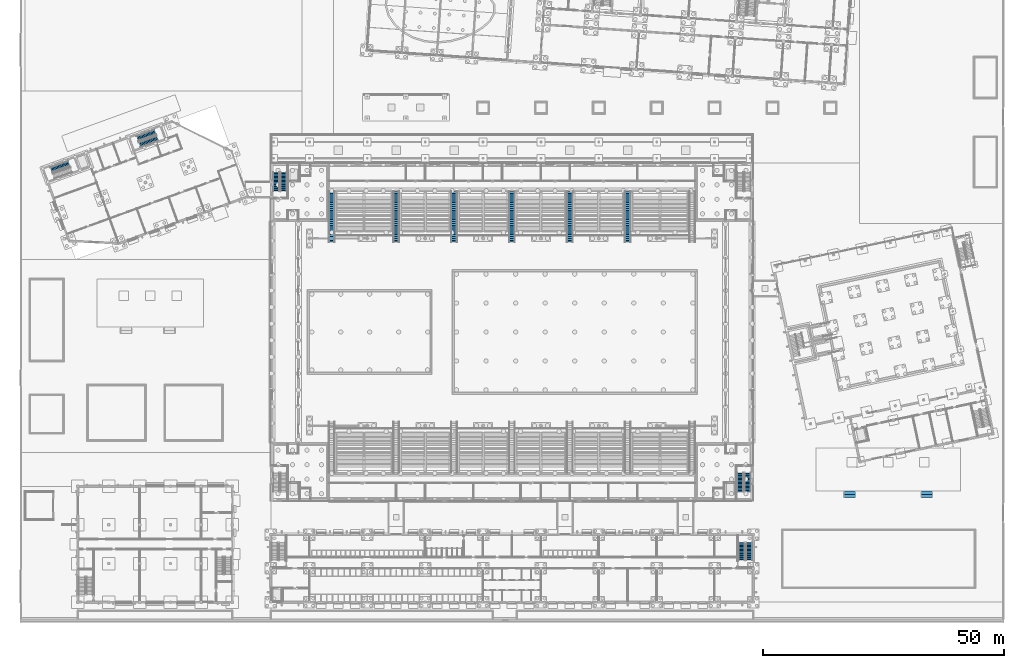
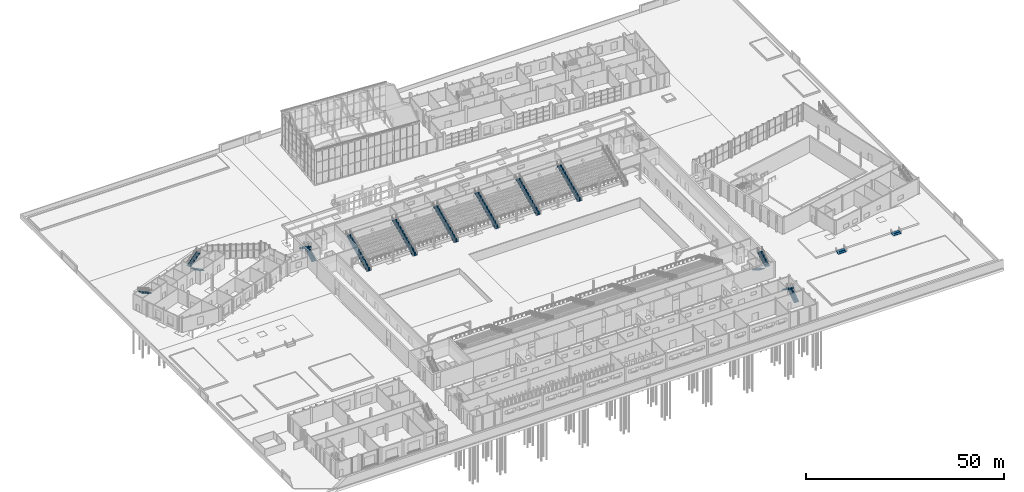
# One storey, part 113 of 157: 17 stair flights, 13 elements without a shape of their own.
"""IFC4 building model written with IfcOpenShell, lengths in metres."""

from ifc_helpers import new_model, si_unit, direction, frame, origin, place, context, subcontext, project, spatial, polyline, outline, extrude, material, type_object, element, aggregate, save


model = new_model("IFC4")

# Units and contexts
model_context = context("Model", 3, precision=1e-05, world=origin(), true_north=direction((0.0, 1.0)))
body_context = subcontext(model_context, "Body", "Model", "MODEL_VIEW")
ifc_project = project(units=[si_unit("LENGTHUNIT", "METRE"), si_unit("AREAUNIT", "SQUARE_METRE"), si_unit("VOLUMEUNIT", "CUBIC_METRE"), si_unit("PLANEANGLEUNIT", "RADIAN"), si_unit("MASSUNIT", "GRAM", prefix="KILO")], contexts=[model_context])

# Site, building, storey
site_placement = place(None, origin())
site = spatial("IfcSite", under=ifc_project, at=site_placement, CompositionType="ELEMENT")
building_placement = place(site_placement, origin())
building = spatial("IfcBuilding", under=site, at=building_placement, Name="Windward Yard Aquatics Centre", CompositionType="ELEMENT")
storey_placement = place(building_placement, origin())
storey = spatial("IfcBuildingStorey", under=building, at=storey_placement, Name="L00", CompositionType="ELEMENT", Elevation=0.0)

# Stair, stair flights
ifc_material_1 = material(Name="Concrete C35/45", Category="concrete")
stair_type_1 = type_object("IfcStairType", Name="C Village stair 2 dog-leg stair", PredefinedType="HALF_TURN_STAIR", material=ifc_material_1)
stair_1_placement = place(storey_placement, origin())
stair_1 = element("IfcStair", 1, at=stair_1_placement, inside=storey, type_object=stair_type_1, Name="L00 Village stair 2", PredefinedType="HALF_TURN_STAIR")
stair_flight_type_1 = type_object("IfcStairFlightType", Name="C Village stair 2 stair flight", PredefinedType="STRAIGHT", material=ifc_material_1)
stair_flight_1_placement = place(storey_placement, frame((151.14990234375, 13.699951171875, 0.0), z_axis=(0.0, 0.0, 1.0), x_axis=(0.0, 1.0, 0.0)))
stair_flight_1 = element("IfcStairFlight", 2, at=stair_flight_1_placement, type_object=stair_flight_type_1, Name="C-ST2 flight 1", NumberOfRisers=14, NumberOfTreads=13, PredefinedType="STRAIGHT", RiserHeight=0.178571429, TreadLength=0.28, context=body_context, shape_type="SweptSolid", body=[
    extrude(outline(polyline([(0.0, 0.0), (0.0, 0.178466796875), (0.280029296875, 0.178466796875), (0.280029296875, 0.357177734375), (0.56005859375, 0.357177734375), (0.56005859375, 0.53564453125), (0.840087890625, 0.53564453125), (0.840087890625, 0.71435546875), (1.1201171875, 0.71435546875), (1.1201171875, 0.892822265625), (1.39990234375, 0.892822265625), (1.39990234375, 1.071533203125), (1.679931640625, 1.071533203125), (1.679931640625, 1.25), (1.9599609375, 1.25), (1.9599609375, 1.428466796875), (2.239990234375, 1.428466796875), (2.239990234375, 1.607177734375), (2.52001953125, 1.607177734375), (2.52001953125, 1.78564453125), (2.800048828125, 1.78564453125), (2.800048828125, 1.96435546875), (3.080078125, 1.96435546875), (3.080078125, 2.142822265625), (3.360107421875, 2.142822265625), (3.360107421875, 2.321533203125), (3.639892578125, 2.321533203125), (3.639892578125, 2.5), (3.639892578125, 2.1435546875), (0.27880859375, 0.0), (0.0, 0.0)])), frame((0.0, 0.699951171875, 0.0), z_axis=(0.0, -1.0, 0.0), x_axis=(1.0, 0.0, 0.0)), (0.0, 0.0, 1.0), 1.39990234375),
])
stair_flight_2_placement = place(storey_placement, frame((149.60009765625, 17.340087890625, 2.5), z_axis=(0.0, 0.0, 1.0), x_axis=(0.0, -1.0, 0.0)))
stair_flight_2 = element("IfcStairFlight", 3, at=stair_flight_2_placement, type_object=stair_flight_type_1, Name="C-ST2 flight 2", NumberOfRisers=14, NumberOfTreads=13, PredefinedType="STRAIGHT", RiserHeight=0.178571429, TreadLength=0.28, context=body_context, shape_type="SweptSolid", body=[
    extrude(outline(polyline([(0.0, 0.0), (0.0, 0.178466796875), (0.280029296875, 0.178466796875), (0.280029296875, 0.357177734375), (0.56005859375, 0.357177734375), (0.56005859375, 0.53564453125), (0.840087890625, 0.53564453125), (0.840087890625, 0.71435546875), (1.1201171875, 0.71435546875), (1.1201171875, 0.892822265625), (1.39990234375, 0.892822265625), (1.39990234375, 1.071533203125), (1.679931640625, 1.071533203125), (1.679931640625, 1.25), (1.9599609375, 1.25), (1.9599609375, 1.428466796875), (2.239990234375, 1.428466796875), (2.239990234375, 1.607177734375), (2.52001953125, 1.607177734375), (2.52001953125, 1.78564453125), (2.800048828125, 1.78564453125), (2.800048828125, 1.96435546875), (3.080078125, 1.96435546875), (3.080078125, 2.142822265625), (3.360107421875, 2.142822265625), (3.360107421875, 2.321533203125), (3.639892578125, 2.321533203125), (3.639892578125, 2.5), (3.639892578125, 2.1435546875), (0.27880859375, 0.0), (0.0, 0.0)])), frame((0.0, 0.699951171875, 0.0), z_axis=(0.0, -1.0, 0.0), x_axis=(1.0, 0.0, 0.0)), (0.0, 0.0, 1.0), 1.39990234375),
])
aggregate(stair_1, [stair_flight_1, stair_flight_2])

# Stair, stair flight
ifc_material_2 = material(Name="Concrete C40/50", Category="concrete")
stair_type_2 = type_object("IfcStairType", Name="F stair 1200 half-turn Concrete C40/50", PredefinedType="HALF_TURN_STAIR", material=ifc_material_2)
stair_2_placement = place(storey_placement, origin())
stair_2 = element("IfcStair", 4, at=stair_2_placement, inside=storey, type_object=stair_type_2, Name="F.ST.L00.S1", PredefinedType="HALF_TURN_STAIR")
stair_flight_type_2 = type_object("IfcStairFlightType", Name="F stair flight 1200 Concrete C40/50", PredefinedType="STRAIGHT", material=ifc_material_2)
stair_flight_3_placement = place(storey_placement, frame((10.1650390625, 95.947265625, 2.5), z_axis=(0.0, 0.0, 1.0), x_axis=(-0.939692620786, -0.342020143326, 0.0)))
stair_flight_3 = element("IfcStairFlight", 5, at=stair_flight_3_placement, type_object=stair_flight_type_2, Name="FS1 flight 2", NumberOfRisers=15, NumberOfTreads=14, PredefinedType="STRAIGHT", RiserHeight=0.166666667, TreadLength=0.28, context=body_context, shape_type="SweptSolid", body=[
    extrude(outline(polyline([(0.0, 0.0), (0.0, 0.166748046875), (0.280029296875, 0.166748046875), (0.280029296875, 0.333251953125), (0.56005859375, 0.333251953125), (0.56005859375, 0.5), (0.840087890625, 0.5), (0.840087890625, 0.666748046875), (1.1201171875, 0.666748046875), (1.1201171875, 0.833251953125), (1.39990234375, 0.833251953125), (1.39990234375, 1.0), (1.679931640625, 1.0), (1.679931640625, 1.166748046875), (1.9599609375, 1.166748046875), (1.9599609375, 1.333251953125), (2.239990234375, 1.333251953125), (2.239990234375, 1.5), (2.52001953125, 1.5), (2.52001953125, 1.666748046875), (2.800048828125, 1.666748046875), (2.800048828125, 1.833251953125), (3.080078125, 1.833251953125), (3.080078125, 2.0), (3.360107421875, 2.0), (3.360107421875, 2.166748046875), (3.639892578125, 2.166748046875), (3.639892578125, 2.333251953125), (3.919921875, 2.333251953125), (3.919921875, 2.5), (3.919921875, 2.158935546875), (0.29296875, 0.0), (0.0, 0.0)])), frame((0.0, 0.60009765625, 0.0), z_axis=(0.0, -1.0, 0.0), x_axis=(1.0, 0.0, 0.0)), (0.0, 0.0, 1.0), 1.199951171875),
])
aggregate(stair_2, [stair_flight_3])

# Stair, stair flights
stair_3_placement = place(storey_placement, origin())
stair_3 = element("IfcStair", 6, at=stair_3_placement, inside=storey, type_object=stair_type_2, Name="F.ST.L00.S2", PredefinedType="HALF_TURN_STAIR")
stair_flight_4_placement = place(storey_placement, frame((28.502685546875, 101.131591796875, 0.0), z_axis=(0.0, 0.0, 1.0), x_axis=(-0.939692620786, -0.342020143326, 0.0)))
stair_flight_4 = element("IfcStairFlight", 7, at=stair_flight_4_placement, type_object=stair_flight_type_2, Name="FS2 flight 1", NumberOfRisers=15, NumberOfTreads=14, PredefinedType="STRAIGHT", RiserHeight=0.166666667, TreadLength=0.28, context=body_context, shape_type="SweptSolid", body=[
    extrude(outline(polyline([(0.0, 0.0), (0.0, 0.166748046875), (0.280029296875, 0.166748046875), (0.280029296875, 0.333251953125), (0.56005859375, 0.333251953125), (0.56005859375, 0.5), (0.840087890625, 0.5), (0.840087890625, 0.666748046875), (1.1201171875, 0.666748046875), (1.1201171875, 0.833251953125), (1.39990234375, 0.833251953125), (1.39990234375, 1.0), (1.679931640625, 1.0), (1.679931640625, 1.166748046875), (1.9599609375, 1.166748046875), (1.9599609375, 1.333251953125), (2.239990234375, 1.333251953125), (2.239990234375, 1.5), (2.52001953125, 1.5), (2.52001953125, 1.666748046875), (2.800048828125, 1.666748046875), (2.800048828125, 1.833251953125), (3.080078125, 1.833251953125), (3.080078125, 2.0), (3.360107421875, 2.0), (3.360107421875, 2.166748046875), (3.639892578125, 2.166748046875), (3.639892578125, 2.333251953125), (3.919921875, 2.333251953125), (3.919921875, 2.5), (3.919921875, 2.158935546875), (0.29296875, 0.0), (0.0, 0.0)])), frame((0.0, 0.60009765625, 0.0), z_axis=(0.0, -1.0, 0.0), x_axis=(1.0, 0.0, 0.0)), (0.0, 0.0, 1.0), 1.199951171875),
])
stair_flight_5_placement = place(storey_placement, frame((24.34033203125, 101.1064453125, 2.5), z_axis=(0.0, 0.0, 1.0), x_axis=(0.939692620786, 0.342020143326, 0.0)))
stair_flight_5 = element("IfcStairFlight", 8, at=stair_flight_5_placement, type_object=stair_flight_type_2, Name="FS2 flight 2", NumberOfRisers=15, NumberOfTreads=14, PredefinedType="STRAIGHT", RiserHeight=0.166666667, TreadLength=0.28, context=body_context, shape_type="SweptSolid", body=[
    extrude(outline(polyline([(0.0, 0.0), (0.0, 0.166748046875), (0.280029296875, 0.166748046875), (0.280029296875, 0.333251953125), (0.56005859375, 0.333251953125), (0.56005859375, 0.5), (0.840087890625, 0.5), (0.840087890625, 0.666748046875), (1.1201171875, 0.666748046875), (1.1201171875, 0.833251953125), (1.39990234375, 0.833251953125), (1.39990234375, 1.0), (1.679931640625, 1.0), (1.679931640625, 1.166748046875), (1.9599609375, 1.166748046875), (1.9599609375, 1.333251953125), (2.239990234375, 1.333251953125), (2.239990234375, 1.5), (2.52001953125, 1.5), (2.52001953125, 1.666748046875), (2.800048828125, 1.666748046875), (2.800048828125, 1.833251953125), (3.080078125, 1.833251953125), (3.080078125, 2.0), (3.360107421875, 2.0), (3.360107421875, 2.166748046875), (3.639892578125, 2.166748046875), (3.639892578125, 2.333251953125), (3.919921875, 2.333251953125), (3.919921875, 2.5), (3.919921875, 2.158935546875), (0.29296875, 0.0), (0.0, 0.0)])), frame((0.0, 0.60009765625, 0.0), z_axis=(0.0, -1.0, 0.0), x_axis=(1.0, 0.0, 0.0)), (0.0, 0.0, 1.0), 1.199951171875),
])
aggregate(stair_3, [stair_flight_4, stair_flight_5])

# Stair, stair flight
stair_type_3 = type_object("IfcStairType", Name="H Aisle Stair Concrete C35/45 1250", PredefinedType="STRAIGHT_RUN_STAIR", material=ifc_material_1)
stair_4_placement = place(storey_placement, origin())
stair_4 = element("IfcStair", 9, at=stair_4_placement, inside=storey, type_object=stair_type_3, Name="Vomitory stair N1", PredefinedType="STRAIGHT_RUN_STAIR")
stair_flight_type_3 = type_object("IfcStairFlightType", Name="H Aisle Stair Flight Concrete C35/45 1250", PredefinedType="STRAIGHT", material=ifc_material_1)
stair_flight_6_placement = place(storey_placement, frame((64.625, 79.6103515625, 0.0), z_axis=(0.0, 0.0, 1.0), x_axis=(0.0, 1.0, 0.0)))
stair_flight_6 = element("IfcStairFlight", 10, at=stair_flight_6_placement, type_object=stair_flight_type_3, Name="ASN1 flight 1", NumberOfRisers=28, NumberOfTreads=27, PredefinedType="STRAIGHT", RiserHeight=0.178571429, TreadLength=0.39, context=body_context, shape_type="SweptSolid", body=[
    extrude(outline(polyline([(0.0, 0.0), (0.0, 0.178466796875), (0.389892578125, 0.178466796875), (0.389892578125, 0.357177734375), (0.780029296875, 0.357177734375), (0.780029296875, 0.53564453125), (1.169921875, 0.53564453125), (1.169921875, 0.71435546875), (1.56005859375, 0.71435546875), (1.56005859375, 0.892822265625), (1.949951171875, 0.892822265625), (1.949951171875, 1.071533203125), (2.340087890625, 1.071533203125), (2.340087890625, 1.25), (2.72998046875, 1.25), (2.72998046875, 1.428466796875), (3.1201171875, 1.428466796875), (3.1201171875, 1.607177734375), (3.510009765625, 1.607177734375), (3.510009765625, 1.78564453125), (3.89990234375, 1.78564453125), (3.89990234375, 1.96435546875), (4.2900390625, 1.96435546875), (4.2900390625, 2.142822265625), (4.679931640625, 2.142822265625), (4.679931640625, 2.321533203125), (5.070068359375, 2.321533203125), (5.070068359375, 2.5), (5.4599609375, 2.5), (5.4599609375, 2.678466796875), (5.85009765625, 2.678466796875), (5.85009765625, 2.857177734375), (6.239990234375, 2.857177734375), (6.239990234375, 3.03564453125), (6.6298828125, 3.03564453125), (6.6298828125, 3.21435546875), (7.02001953125, 3.21435546875), (7.02001953125, 3.392822265625), (7.409912109375, 3.392822265625), (7.409912109375, 3.571533203125), (7.800048828125, 3.571533203125), (7.800048828125, 3.75), (8.18994140625, 3.75), (8.18994140625, 3.928466796875), (8.580078125, 3.928466796875), (8.580078125, 4.107177734375), (8.969970703125, 4.107177734375), (8.969970703125, 4.28564453125), (9.360107421875, 4.28564453125), (9.360107421875, 4.46435546875), (9.75, 4.46435546875), (9.75, 4.642822265625), (10.139892578125, 4.642822265625), (10.139892578125, 4.821533203125), (10.530029296875, 4.821533203125), (10.530029296875, 5.0), (10.530029296875, 4.6015625), (0.480224609375, 0.0), (0.0, 0.0)])), frame((0.0, 0.625, 0.0), z_axis=(0.0, -1.0, 0.0), x_axis=(1.0, 0.0, 0.0)), (0.0, 0.0, 1.0), 1.25),
])
aggregate(stair_4, [stair_flight_6])

stair_5_placement = place(storey_placement, origin())
stair_5 = element("IfcStair", 11, at=stair_5_placement, inside=storey, type_object=stair_type_3, Name="Vomitory stair N2", PredefinedType="STRAIGHT_RUN_STAIR")
stair_flight_7_placement = place(storey_placement, frame((78.0, 79.6103515625, 0.0), z_axis=(0.0, 0.0, 1.0), x_axis=(0.0, 1.0, 0.0)))
stair_flight_7 = element("IfcStairFlight", 12, at=stair_flight_7_placement, type_object=stair_flight_type_3, Name="ASN2 flight 1", NumberOfRisers=28, NumberOfTreads=27, PredefinedType="STRAIGHT", RiserHeight=0.178571429, TreadLength=0.39, context=body_context, shape_type="SweptSolid", body=[
    extrude(outline(polyline([(0.0, 0.0), (0.0, 0.178466796875), (0.389892578125, 0.178466796875), (0.389892578125, 0.357177734375), (0.780029296875, 0.357177734375), (0.780029296875, 0.53564453125), (1.169921875, 0.53564453125), (1.169921875, 0.71435546875), (1.56005859375, 0.71435546875), (1.56005859375, 0.892822265625), (1.949951171875, 0.892822265625), (1.949951171875, 1.071533203125), (2.340087890625, 1.071533203125), (2.340087890625, 1.25), (2.72998046875, 1.25), (2.72998046875, 1.428466796875), (3.1201171875, 1.428466796875), (3.1201171875, 1.607177734375), (3.510009765625, 1.607177734375), (3.510009765625, 1.78564453125), (3.89990234375, 1.78564453125), (3.89990234375, 1.96435546875), (4.2900390625, 1.96435546875), (4.2900390625, 2.142822265625), (4.679931640625, 2.142822265625), (4.679931640625, 2.321533203125), (5.070068359375, 2.321533203125), (5.070068359375, 2.5), (5.4599609375, 2.5), (5.4599609375, 2.678466796875), (5.85009765625, 2.678466796875), (5.85009765625, 2.857177734375), (6.239990234375, 2.857177734375), (6.239990234375, 3.03564453125), (6.6298828125, 3.03564453125), (6.6298828125, 3.21435546875), (7.02001953125, 3.21435546875), (7.02001953125, 3.392822265625), (7.409912109375, 3.392822265625), (7.409912109375, 3.571533203125), (7.800048828125, 3.571533203125), (7.800048828125, 3.75), (8.18994140625, 3.75), (8.18994140625, 3.928466796875), (8.580078125, 3.928466796875), (8.580078125, 4.107177734375), (8.969970703125, 4.107177734375), (8.969970703125, 4.28564453125), (9.360107421875, 4.28564453125), (9.360107421875, 4.46435546875), (9.75, 4.46435546875), (9.75, 4.642822265625), (10.139892578125, 4.642822265625), (10.139892578125, 4.821533203125), (10.530029296875, 4.821533203125), (10.530029296875, 5.0), (10.530029296875, 4.6015625), (0.480224609375, 0.0), (0.0, 0.0)])), frame((0.0, 0.625, 0.0), z_axis=(0.0, -1.0, 0.0), x_axis=(1.0, 0.0, 0.0)), (0.0, 0.0, 1.0), 1.25),
])
aggregate(stair_5, [stair_flight_7])

stair_6_placement = place(storey_placement, origin())
stair_6 = element("IfcStair", 13, at=stair_6_placement, inside=storey, type_object=stair_type_3, Name="Vomitory stair N3", PredefinedType="STRAIGHT_RUN_STAIR")
stair_flight_8_placement = place(storey_placement, frame((90.0, 79.6103515625, 0.0), z_axis=(0.0, 0.0, 1.0), x_axis=(0.0, 1.0, 0.0)))
stair_flight_8 = element("IfcStairFlight", 14, at=stair_flight_8_placement, type_object=stair_flight_type_3, Name="ASN3 flight 1", NumberOfRisers=28, NumberOfTreads=27, PredefinedType="STRAIGHT", RiserHeight=0.178571429, TreadLength=0.39, context=body_context, shape_type="SweptSolid", body=[
    extrude(outline(polyline([(0.0, 0.0), (0.0, 0.178466796875), (0.389892578125, 0.178466796875), (0.389892578125, 0.357177734375), (0.780029296875, 0.357177734375), (0.780029296875, 0.53564453125), (1.169921875, 0.53564453125), (1.169921875, 0.71435546875), (1.56005859375, 0.71435546875), (1.56005859375, 0.892822265625), (1.949951171875, 0.892822265625), (1.949951171875, 1.071533203125), (2.340087890625, 1.071533203125), (2.340087890625, 1.25), (2.72998046875, 1.25), (2.72998046875, 1.428466796875), (3.1201171875, 1.428466796875), (3.1201171875, 1.607177734375), (3.510009765625, 1.607177734375), (3.510009765625, 1.78564453125), (3.89990234375, 1.78564453125), (3.89990234375, 1.96435546875), (4.2900390625, 1.96435546875), (4.2900390625, 2.142822265625), (4.679931640625, 2.142822265625), (4.679931640625, 2.321533203125), (5.070068359375, 2.321533203125), (5.070068359375, 2.5), (5.4599609375, 2.5), (5.4599609375, 2.678466796875), (5.85009765625, 2.678466796875), (5.85009765625, 2.857177734375), (6.239990234375, 2.857177734375), (6.239990234375, 3.03564453125), (6.6298828125, 3.03564453125), (6.6298828125, 3.21435546875), (7.02001953125, 3.21435546875), (7.02001953125, 3.392822265625), (7.409912109375, 3.392822265625), (7.409912109375, 3.571533203125), (7.800048828125, 3.571533203125), (7.800048828125, 3.75), (8.18994140625, 3.75), (8.18994140625, 3.928466796875), (8.580078125, 3.928466796875), (8.580078125, 4.107177734375), (8.969970703125, 4.107177734375), (8.969970703125, 4.28564453125), (9.360107421875, 4.28564453125), (9.360107421875, 4.46435546875), (9.75, 4.46435546875), (9.75, 4.642822265625), (10.139892578125, 4.642822265625), (10.139892578125, 4.821533203125), (10.530029296875, 4.821533203125), (10.530029296875, 5.0), (10.530029296875, 4.6015625), (0.480224609375, 0.0), (0.0, 0.0)])), frame((0.0, 0.625, 0.0), z_axis=(0.0, -1.0, 0.0), x_axis=(1.0, 0.0, 0.0)), (0.0, 0.0, 1.0), 1.25),
])
aggregate(stair_6, [stair_flight_8])

stair_7_placement = place(storey_placement, origin())
stair_7 = element("IfcStair", 15, at=stair_7_placement, inside=storey, type_object=stair_type_3, Name="Vomitory stair N4", PredefinedType="STRAIGHT_RUN_STAIR")
stair_flight_9_placement = place(storey_placement, frame((102.0, 79.6103515625, 0.0), z_axis=(0.0, 0.0, 1.0), x_axis=(0.0, 1.0, 0.0)))
stair_flight_9 = element("IfcStairFlight", 16, at=stair_flight_9_placement, type_object=stair_flight_type_3, Name="ASN4 flight 1", NumberOfRisers=28, NumberOfTreads=27, PredefinedType="STRAIGHT", RiserHeight=0.178571429, TreadLength=0.39, context=body_context, shape_type="SweptSolid", body=[
    extrude(outline(polyline([(0.0, 0.0), (0.0, 0.178466796875), (0.389892578125, 0.178466796875), (0.389892578125, 0.357177734375), (0.780029296875, 0.357177734375), (0.780029296875, 0.53564453125), (1.169921875, 0.53564453125), (1.169921875, 0.71435546875), (1.56005859375, 0.71435546875), (1.56005859375, 0.892822265625), (1.949951171875, 0.892822265625), (1.949951171875, 1.071533203125), (2.340087890625, 1.071533203125), (2.340087890625, 1.25), (2.72998046875, 1.25), (2.72998046875, 1.428466796875), (3.1201171875, 1.428466796875), (3.1201171875, 1.607177734375), (3.510009765625, 1.607177734375), (3.510009765625, 1.78564453125), (3.89990234375, 1.78564453125), (3.89990234375, 1.96435546875), (4.2900390625, 1.96435546875), (4.2900390625, 2.142822265625), (4.679931640625, 2.142822265625), (4.679931640625, 2.321533203125), (5.070068359375, 2.321533203125), (5.070068359375, 2.5), (5.4599609375, 2.5), (5.4599609375, 2.678466796875), (5.85009765625, 2.678466796875), (5.85009765625, 2.857177734375), (6.239990234375, 2.857177734375), (6.239990234375, 3.03564453125), (6.6298828125, 3.03564453125), (6.6298828125, 3.21435546875), (7.02001953125, 3.21435546875), (7.02001953125, 3.392822265625), (7.409912109375, 3.392822265625), (7.409912109375, 3.571533203125), (7.800048828125, 3.571533203125), (7.800048828125, 3.75), (8.18994140625, 3.75), (8.18994140625, 3.928466796875), (8.580078125, 3.928466796875), (8.580078125, 4.107177734375), (8.969970703125, 4.107177734375), (8.969970703125, 4.28564453125), (9.360107421875, 4.28564453125), (9.360107421875, 4.46435546875), (9.75, 4.46435546875), (9.75, 4.642822265625), (10.139892578125, 4.642822265625), (10.139892578125, 4.821533203125), (10.530029296875, 4.821533203125), (10.530029296875, 5.0), (10.530029296875, 4.6015625), (0.480224609375, 0.0), (0.0, 0.0)])), frame((0.0, 0.625, 0.0), z_axis=(0.0, -1.0, 0.0), x_axis=(1.0, 0.0, 0.0)), (0.0, 0.0, 1.0), 1.25),
])
aggregate(stair_7, [stair_flight_9])

stair_8_placement = place(storey_placement, origin())
stair_8 = element("IfcStair", 17, at=stair_8_placement, inside=storey, type_object=stair_type_3, Name="Vomitory stair N5", PredefinedType="STRAIGHT_RUN_STAIR")
stair_flight_10_placement = place(storey_placement, frame((114.0, 79.6103515625, 0.0), z_axis=(0.0, 0.0, 1.0), x_axis=(0.0, 1.0, 0.0)))
stair_flight_10 = element("IfcStairFlight", 18, at=stair_flight_10_placement, type_object=stair_flight_type_3, Name="ASN5 flight 1", NumberOfRisers=28, NumberOfTreads=27, PredefinedType="STRAIGHT", RiserHeight=0.178571429, TreadLength=0.39, context=body_context, shape_type="SweptSolid", body=[
    extrude(outline(polyline([(0.0, 0.0), (0.0, 0.178466796875), (0.389892578125, 0.178466796875), (0.389892578125, 0.357177734375), (0.780029296875, 0.357177734375), (0.780029296875, 0.53564453125), (1.169921875, 0.53564453125), (1.169921875, 0.71435546875), (1.56005859375, 0.71435546875), (1.56005859375, 0.892822265625), (1.949951171875, 0.892822265625), (1.949951171875, 1.071533203125), (2.340087890625, 1.071533203125), (2.340087890625, 1.25), (2.72998046875, 1.25), (2.72998046875, 1.428466796875), (3.1201171875, 1.428466796875), (3.1201171875, 1.607177734375), (3.510009765625, 1.607177734375), (3.510009765625, 1.78564453125), (3.89990234375, 1.78564453125), (3.89990234375, 1.96435546875), (4.2900390625, 1.96435546875), (4.2900390625, 2.142822265625), (4.679931640625, 2.142822265625), (4.679931640625, 2.321533203125), (5.070068359375, 2.321533203125), (5.070068359375, 2.5), (5.4599609375, 2.5), (5.4599609375, 2.678466796875), (5.85009765625, 2.678466796875), (5.85009765625, 2.857177734375), (6.239990234375, 2.857177734375), (6.239990234375, 3.03564453125), (6.6298828125, 3.03564453125), (6.6298828125, 3.21435546875), (7.02001953125, 3.21435546875), (7.02001953125, 3.392822265625), (7.409912109375, 3.392822265625), (7.409912109375, 3.571533203125), (7.800048828125, 3.571533203125), (7.800048828125, 3.75), (8.18994140625, 3.75), (8.18994140625, 3.928466796875), (8.580078125, 3.928466796875), (8.580078125, 4.107177734375), (8.969970703125, 4.107177734375), (8.969970703125, 4.28564453125), (9.360107421875, 4.28564453125), (9.360107421875, 4.46435546875), (9.75, 4.46435546875), (9.75, 4.642822265625), (10.139892578125, 4.642822265625), (10.139892578125, 4.821533203125), (10.530029296875, 4.821533203125), (10.530029296875, 5.0), (10.530029296875, 4.6015625), (0.480224609375, 0.0), (0.0, 0.0)])), frame((0.0, 0.625, 0.0), z_axis=(0.0, -1.0, 0.0), x_axis=(1.0, 0.0, 0.0)), (0.0, 0.0, 1.0), 1.25),
])
aggregate(stair_8, [stair_flight_10])

stair_9_placement = place(storey_placement, origin())
stair_9 = element("IfcStair", 19, at=stair_9_placement, inside=storey, type_object=stair_type_3, Name="Vomitory stair N6", PredefinedType="STRAIGHT_RUN_STAIR")
stair_flight_11_placement = place(storey_placement, frame((126.0, 79.6103515625, 0.0), z_axis=(0.0, 0.0, 1.0), x_axis=(0.0, 1.0, 0.0)))
stair_flight_11 = element("IfcStairFlight", 20, at=stair_flight_11_placement, type_object=stair_flight_type_3, Name="ASN6 flight 1", NumberOfRisers=28, NumberOfTreads=27, PredefinedType="STRAIGHT", RiserHeight=0.178571429, TreadLength=0.39, context=body_context, shape_type="SweptSolid", body=[
    extrude(outline(polyline([(0.0, 0.0), (0.0, 0.178466796875), (0.389892578125, 0.178466796875), (0.389892578125, 0.357177734375), (0.780029296875, 0.357177734375), (0.780029296875, 0.53564453125), (1.169921875, 0.53564453125), (1.169921875, 0.71435546875), (1.56005859375, 0.71435546875), (1.56005859375, 0.892822265625), (1.949951171875, 0.892822265625), (1.949951171875, 1.071533203125), (2.340087890625, 1.071533203125), (2.340087890625, 1.25), (2.72998046875, 1.25), (2.72998046875, 1.428466796875), (3.1201171875, 1.428466796875), (3.1201171875, 1.607177734375), (3.510009765625, 1.607177734375), (3.510009765625, 1.78564453125), (3.89990234375, 1.78564453125), (3.89990234375, 1.96435546875), (4.2900390625, 1.96435546875), (4.2900390625, 2.142822265625), (4.679931640625, 2.142822265625), (4.679931640625, 2.321533203125), (5.070068359375, 2.321533203125), (5.070068359375, 2.5), (5.4599609375, 2.5), (5.4599609375, 2.678466796875), (5.85009765625, 2.678466796875), (5.85009765625, 2.857177734375), (6.239990234375, 2.857177734375), (6.239990234375, 3.03564453125), (6.6298828125, 3.03564453125), (6.6298828125, 3.21435546875), (7.02001953125, 3.21435546875), (7.02001953125, 3.392822265625), (7.409912109375, 3.392822265625), (7.409912109375, 3.571533203125), (7.800048828125, 3.571533203125), (7.800048828125, 3.75), (8.18994140625, 3.75), (8.18994140625, 3.928466796875), (8.580078125, 3.928466796875), (8.580078125, 4.107177734375), (8.969970703125, 4.107177734375), (8.969970703125, 4.28564453125), (9.360107421875, 4.28564453125), (9.360107421875, 4.46435546875), (9.75, 4.46435546875), (9.75, 4.642822265625), (10.139892578125, 4.642822265625), (10.139892578125, 4.821533203125), (10.530029296875, 4.821533203125), (10.530029296875, 5.0), (10.530029296875, 4.6015625), (0.480224609375, 0.0), (0.0, 0.0)])), frame((0.0, 0.625, 0.0), z_axis=(0.0, -1.0, 0.0), x_axis=(1.0, 0.0, 0.0)), (0.0, 0.0, 1.0), 1.25),
])
aggregate(stair_9, [stair_flight_11])

# Stair, stair flights
stair_type_4 = type_object("IfcStairType", Name="H Core Stair Concrete C35/45 1400", PredefinedType="HALF_TURN_STAIR", material=ifc_material_1)
stair_10_placement = place(storey_placement, origin())
stair_10 = element("IfcStair", 21, at=stair_10_placement, inside=storey, type_object=stair_type_4, Name="L00 Stair SE", PredefinedType="HALF_TURN_STAIR")
stair_flight_type_4 = type_object("IfcStairFlightType", Name="H Core Stair Flight Concrete C35/45 1400", PredefinedType="STRAIGHT", material=ifc_material_1)
stair_flight_12_placement = place(storey_placement, frame((149.300048828125, 31.800048828125, 0.0), z_axis=(0.0, 0.0, 1.0), x_axis=(0.0, -1.0, 0.0)))
stair_flight_12 = element("IfcStairFlight", 22, at=stair_flight_12_placement, type_object=stair_flight_type_4, Name="ST2 flight 1", NumberOfRisers=15, NumberOfTreads=14, PredefinedType="STRAIGHT", RiserHeight=0.166666667, TreadLength=0.28, context=body_context, shape_type="SweptSolid", body=[
    extrude(outline(polyline([(0.0, 0.0), (0.0, 0.166748046875), (0.280029296875, 0.166748046875), (0.280029296875, 0.333251953125), (0.56005859375, 0.333251953125), (0.56005859375, 0.5), (0.840087890625, 0.5), (0.840087890625, 0.666748046875), (1.1201171875, 0.666748046875), (1.1201171875, 0.833251953125), (1.39990234375, 0.833251953125), (1.39990234375, 1.0), (1.679931640625, 1.0), (1.679931640625, 1.166748046875), (1.9599609375, 1.166748046875), (1.9599609375, 1.333251953125), (2.239990234375, 1.333251953125), (2.239990234375, 1.5), (2.52001953125, 1.5), (2.52001953125, 1.666748046875), (2.800048828125, 1.666748046875), (2.800048828125, 1.833251953125), (3.080078125, 1.833251953125), (3.080078125, 2.0), (3.360107421875, 2.0), (3.360107421875, 2.166748046875), (3.639892578125, 2.166748046875), (3.639892578125, 2.333251953125), (3.919921875, 2.333251953125), (3.919921875, 2.5), (3.919921875, 2.158935546875), (0.29296875, 0.0), (0.0, 0.0)])), frame((0.0, 0.699951171875, 0.0), z_axis=(0.0, -1.0, 0.0), x_axis=(1.0, 0.0, 0.0)), (0.0, 0.0, 1.0), 1.39990234375),
])
stair_flight_13_placement = place(storey_placement, frame((150.85009765625, 27.8798828125, 2.5), z_axis=(0.0, 0.0, 1.0), x_axis=(0.0, 1.0, 0.0)))
stair_flight_13 = element("IfcStairFlight", 23, at=stair_flight_13_placement, type_object=stair_flight_type_4, Name="ST2 flight 2", NumberOfRisers=15, NumberOfTreads=14, PredefinedType="STRAIGHT", RiserHeight=0.166666667, TreadLength=0.28, context=body_context, shape_type="SweptSolid", body=[
    extrude(outline(polyline([(0.0, 0.0), (0.0, 0.166748046875), (0.280029296875, 0.166748046875), (0.280029296875, 0.333251953125), (0.56005859375, 0.333251953125), (0.56005859375, 0.5), (0.840087890625, 0.5), (0.840087890625, 0.666748046875), (1.1201171875, 0.666748046875), (1.1201171875, 0.833251953125), (1.39990234375, 0.833251953125), (1.39990234375, 1.0), (1.679931640625, 1.0), (1.679931640625, 1.166748046875), (1.9599609375, 1.166748046875), (1.9599609375, 1.333251953125), (2.239990234375, 1.333251953125), (2.239990234375, 1.5), (2.52001953125, 1.5), (2.52001953125, 1.666748046875), (2.800048828125, 1.666748046875), (2.800048828125, 1.833251953125), (3.080078125, 1.833251953125), (3.080078125, 2.0), (3.360107421875, 2.0), (3.360107421875, 2.166748046875), (3.639892578125, 2.166748046875), (3.639892578125, 2.333251953125), (3.919921875, 2.333251953125), (3.919921875, 2.5), (3.919921875, 2.158935546875), (0.29296875, 0.0), (0.0, 0.0)])), frame((0.0, 0.699951171875, 0.0), z_axis=(0.0, -1.0, 0.0), x_axis=(1.0, 0.0, 0.0)), (0.0, 0.0, 1.0), 1.39990234375),
])
aggregate(stair_10, [stair_flight_12, stair_flight_13])

stair_11_placement = place(storey_placement, origin())
stair_11 = element("IfcStair", 24, at=stair_11_placement, inside=storey, type_object=stair_type_4, Name="L00 Stair NW", PredefinedType="HALF_TURN_STAIR")
stair_flight_14_placement = place(storey_placement, frame((54.699951171875, 90.199951171875, 0.0), z_axis=(0.0, 0.0, 1.0), x_axis=(0.0, 1.0, 0.0)))
stair_flight_14 = element("IfcStairFlight", 25, at=stair_flight_14_placement, type_object=stair_flight_type_4, Name="ST3 flight 1", NumberOfRisers=15, NumberOfTreads=14, PredefinedType="STRAIGHT", RiserHeight=0.166666667, TreadLength=0.28, context=body_context, shape_type="SweptSolid", body=[
    extrude(outline(polyline([(0.0, 0.0), (0.0, 0.166748046875), (0.280029296875, 0.166748046875), (0.280029296875, 0.333251953125), (0.56005859375, 0.333251953125), (0.56005859375, 0.5), (0.840087890625, 0.5), (0.840087890625, 0.666748046875), (1.1201171875, 0.666748046875), (1.1201171875, 0.833251953125), (1.39990234375, 0.833251953125), (1.39990234375, 1.0), (1.679931640625, 1.0), (1.679931640625, 1.166748046875), (1.9599609375, 1.166748046875), (1.9599609375, 1.333251953125), (2.239990234375, 1.333251953125), (2.239990234375, 1.5), (2.52001953125, 1.5), (2.52001953125, 1.666748046875), (2.800048828125, 1.666748046875), (2.800048828125, 1.833251953125), (3.080078125, 1.833251953125), (3.080078125, 2.0), (3.360107421875, 2.0), (3.360107421875, 2.166748046875), (3.639892578125, 2.166748046875), (3.639892578125, 2.333251953125), (3.919921875, 2.333251953125), (3.919921875, 2.5), (3.919921875, 2.158935546875), (0.29296875, 0.0), (0.0, 0.0)])), frame((0.0, 0.699951171875, 0.0), z_axis=(0.0, -1.0, 0.0), x_axis=(1.0, 0.0, 0.0)), (0.0, 0.0, 1.0), 1.39990234375),
])
stair_flight_15_placement = place(storey_placement, frame((53.14990234375, 94.1201171875, 2.5), z_axis=(0.0, 0.0, 1.0), x_axis=(0.0, -1.0, 0.0)))
stair_flight_15 = element("IfcStairFlight", 26, at=stair_flight_15_placement, type_object=stair_flight_type_4, Name="ST3 flight 2", NumberOfRisers=15, NumberOfTreads=14, PredefinedType="STRAIGHT", RiserHeight=0.166666667, TreadLength=0.28, context=body_context, shape_type="SweptSolid", body=[
    extrude(outline(polyline([(0.0, 0.0), (0.0, 0.166748046875), (0.280029296875, 0.166748046875), (0.280029296875, 0.333251953125), (0.56005859375, 0.333251953125), (0.56005859375, 0.5), (0.840087890625, 0.5), (0.840087890625, 0.666748046875), (1.1201171875, 0.666748046875), (1.1201171875, 0.833251953125), (1.39990234375, 0.833251953125), (1.39990234375, 1.0), (1.679931640625, 1.0), (1.679931640625, 1.166748046875), (1.9599609375, 1.166748046875), (1.9599609375, 1.333251953125), (2.239990234375, 1.333251953125), (2.239990234375, 1.5), (2.52001953125, 1.5), (2.52001953125, 1.666748046875), (2.800048828125, 1.666748046875), (2.800048828125, 1.833251953125), (3.080078125, 1.833251953125), (3.080078125, 2.0), (3.360107421875, 2.0), (3.360107421875, 2.166748046875), (3.639892578125, 2.166748046875), (3.639892578125, 2.333251953125), (3.919921875, 2.333251953125), (3.919921875, 2.5), (3.919921875, 2.158935546875), (0.29296875, 0.0), (0.0, 0.0)])), frame((0.0, 0.699951171875, 0.0), z_axis=(0.0, -1.0, 0.0), x_axis=(1.0, 0.0, 0.0)), (0.0, 0.0, 1.0), 1.39990234375),
])
aggregate(stair_11, [stair_flight_14, stair_flight_15])

# Stair, stair flight
ifc_material_3 = material(Name="Concrete C30/37", Category="concrete")
stair_type_5 = type_object("IfcStairType", Name="X Garden Stair Concrete C30/37 2400", PredefinedType="STRAIGHT_RUN_STAIR", material=ifc_material_3)
stair_12_placement = place(storey_placement, origin())
stair_12 = element("IfcStair", 27, at=stair_12_placement, inside=storey, type_object=stair_type_5, Name="East garden terrace stair 1", PredefinedType="STRAIGHT_RUN_STAIR")
stair_flight_type_5 = type_object("IfcStairFlightType", Name="X Garden Stair Flight Concrete C30/37 2400", PredefinedType="STRAIGHT", material=ifc_material_3)
stair_flight_16_placement = place(storey_placement, frame((172.0, 26.699951171875, 0.0), z_axis=(0.0, 0.0, 1.0), x_axis=(0.0, 1.0, 0.0)))
stair_flight_16 = element("IfcStairFlight", 28, at=stair_flight_16_placement, type_object=stair_flight_type_5, Name="XST03 flight 1", NumberOfRisers=3, NumberOfTreads=2, PredefinedType="STRAIGHT", RiserHeight=0.15, TreadLength=0.65, context=body_context, shape_type="SweptSolid", body=[
    extrude(outline(polyline([(0.0, 0.0), (0.0, 0.14990234375), (0.64990234375, 0.14990234375), (0.64990234375, 0.300048828125), (1.300048828125, 0.300048828125), (1.300048828125, 0.449951171875), (1.300048828125, 0.146240234375), (0.666748046875, 0.0), (0.0, 0.0)])), frame((0.0, 1.199951171875, 0.0), z_axis=(0.0, -1.0, 0.0), x_axis=(1.0, 0.0, 0.0)), (0.0, 0.0, 1.0), 2.39990234375),
])
aggregate(stair_12, [stair_flight_16])

stair_13_placement = place(storey_placement, origin())
stair_13 = element("IfcStair", 29, at=stair_13_placement, inside=storey, type_object=stair_type_5, Name="East garden terrace stair 2", PredefinedType="STRAIGHT_RUN_STAIR")
stair_flight_17_placement = place(storey_placement, frame((188.0, 26.699951171875, 0.0), z_axis=(0.0, 0.0, 1.0), x_axis=(0.0, 1.0, 0.0)))
stair_flight_17 = element("IfcStairFlight", 30, at=stair_flight_17_placement, type_object=stair_flight_type_5, Name="XST04 flight 1", NumberOfRisers=3, NumberOfTreads=2, PredefinedType="STRAIGHT", RiserHeight=0.15, TreadLength=0.65, context=body_context, shape_type="SweptSolid", body=[
    extrude(outline(polyline([(0.0, 0.0), (0.0, 0.14990234375), (0.64990234375, 0.14990234375), (0.64990234375, 0.300048828125), (1.300048828125, 0.300048828125), (1.300048828125, 0.449951171875), (1.300048828125, 0.146240234375), (0.666748046875, 0.0), (0.0, 0.0)])), frame((0.0, 1.199951171875, 0.0), z_axis=(0.0, -1.0, 0.0), x_axis=(1.0, 0.0, 0.0)), (0.0, 0.0, 1.0), 2.39990234375),
])
aggregate(stair_13, [stair_flight_17])

save(model, "model.ifc")
